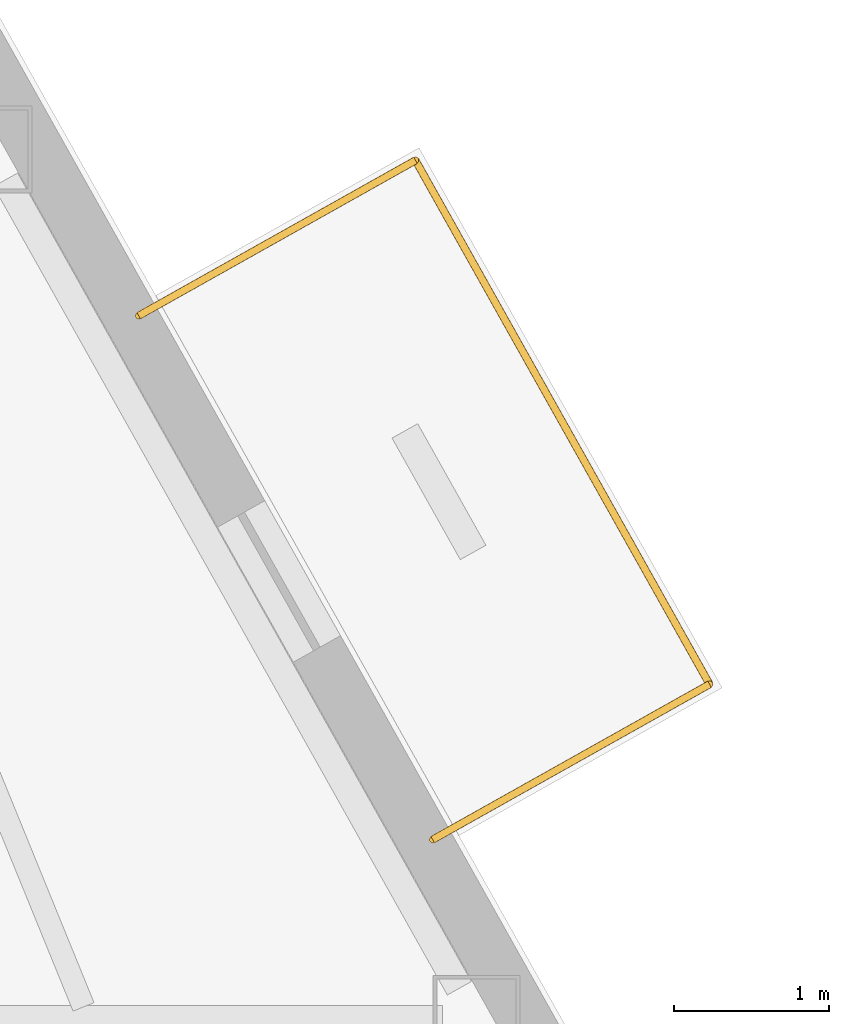
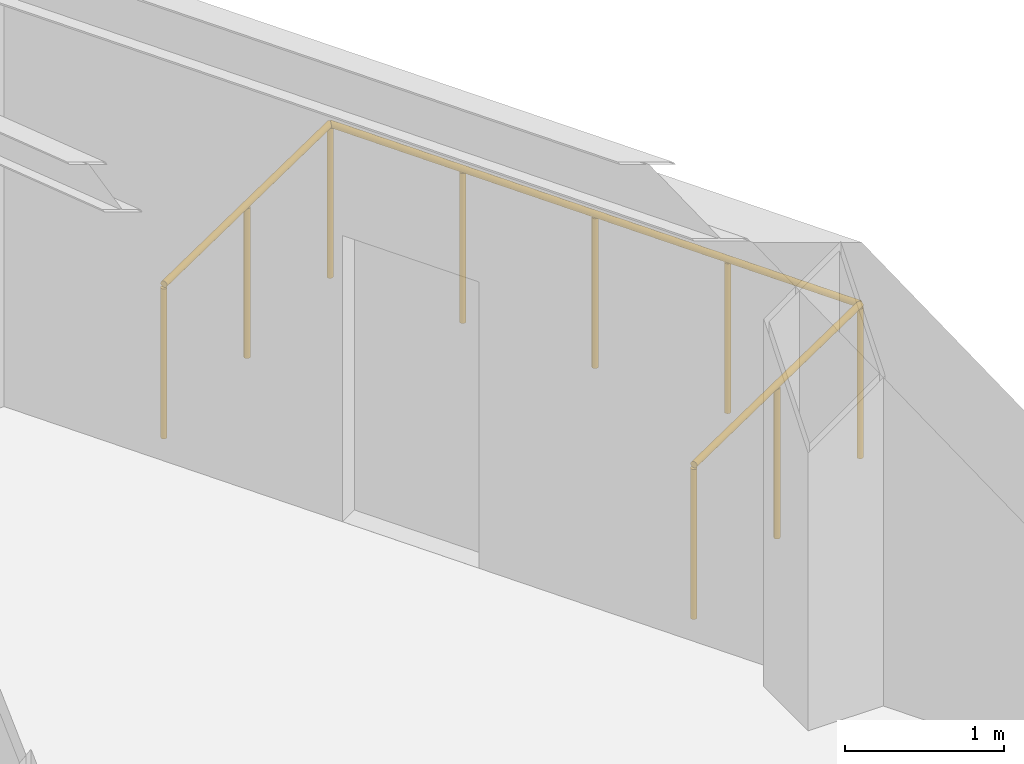
# One storey, part 9 of 9: 3 railings.
"""IFC4 building model written with IfcOpenShell, lengths in metres."""

from ifc_helpers import new_model, si_unit, direction, frame, origin, origin_2d, place, context, subcontext, project, spatial, circle, extrude, material, type_object, element, save


model = new_model("IFC4")

# Units and contexts
model_context = context("Model", 3, precision=1e-05, world=origin(), true_north=direction((0.0, 1.0)))
body_context = subcontext(model_context, "Body", "Model", "MODEL_VIEW")
ifc_project = project(units=[si_unit("LENGTHUNIT", "METRE"), si_unit("AREAUNIT", "SQUARE_METRE"), si_unit("VOLUMEUNIT", "CUBIC_METRE"), si_unit("PLANEANGLEUNIT", "RADIAN"), si_unit("MASSUNIT", "GRAM", prefix="KILO")], contexts=[model_context])

# Site, building, storey
site_placement = place(None, origin())
site = spatial("IfcSite", under=ifc_project, at=site_placement, CompositionType="ELEMENT")
building_placement = place(site_placement, origin())
building = spatial("IfcBuilding", under=site, at=building_placement, Name="Kavelnor Concourse Tower", CompositionType="ELEMENT")
storey_placement = place(building_placement, frame((0.0, 0.0, 301.10009765625)))
storey = spatial("IfcBuildingStorey", under=building, at=storey_placement, Name="L76", CompositionType="ELEMENT", Elevation=301.10009765625)

# Railings
ifc_material = material(Name="Architectural bronze-anodised aluminium", Category="aluminium")
railing_type = type_object("IfcRailingType", Name="RLG-TERRACE-1200", PredefinedType="BALUSTRADE", material=ifc_material)
railing_1_placement = place(storey_placement, frame((55.9638671875, 17.4384765625, 0.0)))
element("IfcRailing", 1, at=railing_1_placement, inside=storey, type_object=railing_type, Name="L76 Tree Balcony 2 Guardrail L", PredefinedType="BALUSTRADE", context=body_context, shape_type="SweptSolid", body=[
    extrude(circle(Radius=0.02392578125, at=origin_2d()), frame((0.0, 0.0, 1.17578125), z_axis=(0.872042637653, 0.489429911341, 0.0), x_axis=(-0.489429911341, 0.872042637653, 0.0)), (0.0, 0.0, 1.0), 2.05029296875),
    extrude(circle(Radius=0.02099609375, at=origin_2d()), origin(), (0.0, 0.0, 1.0), 1.15185546875),
    extrude(circle(Radius=0.02099609375, at=origin_2d()), frame((0.89404296875, 0.501708984375, 0.0)), (0.0, 0.0, 1.0), 1.15185546875),
    extrude(circle(Radius=0.02099609375, at=origin_2d()), frame((1.787841796875, 1.00341796875, 0.0)), (0.0, 0.0, 1.0), 1.15185546875),
])
railing_2_placement = place(storey_placement, frame((57.751708984375, 18.44189453125, 0.0)))
element("IfcRailing", 2, at=railing_2_placement, inside=storey, type_object=railing_type, Name="L76 Tree Balcony 2 Guardrail F", PredefinedType="BALUSTRADE", context=body_context, shape_type="SweptSolid", body=[
    extrude(circle(Radius=0.02392578125, at=origin_2d()), frame((0.0, 0.0, 1.17578125), z_axis=(-0.489463411086, 0.872023835229, 0.0), x_axis=(-0.872023835229, -0.489463411086, 0.0)), (0.0, 0.0, 1.0), 3.880126953125),
    extrude(circle(Radius=0.02099609375, at=origin_2d()), origin(), (0.0, 0.0, 1.0), 1.15185546875),
    extrude(circle(Radius=0.02099609375, at=origin_2d()), frame((-0.474853515625, 0.845947265625, 0.0)), (0.0, 0.0, 1.0), 1.15185546875),
    extrude(circle(Radius=0.02099609375, at=origin_2d()), frame((-0.94970703125, 1.69189453125, 0.0)), (0.0, 0.0, 1.0), 1.15185546875),
    extrude(circle(Radius=0.02099609375, at=origin_2d()), frame((-1.42431640625, 2.53759765625, 0.0)), (0.0, 0.0, 1.0), 1.15185546875),
    extrude(circle(Radius=0.02099609375, at=origin_2d()), frame((-1.899169921875, 3.383544921875, 0.0)), (0.0, 0.0, 1.0), 1.15185546875),
])
railing_3_placement = place(storey_placement, frame((55.8525390625, 21.825439453125, 0.0)))
element("IfcRailing", 3, at=railing_3_placement, inside=storey, type_object=railing_type, Name="L76 Tree Balcony 2 Guardrail R", PredefinedType="BALUSTRADE", context=body_context, shape_type="SweptSolid", body=[
    extrude(circle(Radius=0.02392578125, at=origin_2d()), frame((0.0, 0.0, 1.17578125), z_axis=(-0.872014107943, -0.489480740733, 0.0), x_axis=(0.489480740733, -0.872014107943, 0.0)), (0.0, 0.0, 1.0), 2.050048828125),
    extrude(circle(Radius=0.02099609375, at=origin_2d()), origin(), (0.0, 0.0, 1.0), 1.15185546875),
    extrude(circle(Radius=0.02099609375, at=origin_2d()), frame((-0.893798828125, -0.501708984375, 0.0)), (0.0, 0.0, 1.0), 1.15185546875),
    extrude(circle(Radius=0.02099609375, at=origin_2d()), frame((-1.78759765625, -1.00341796875, 0.0)), (0.0, 0.0, 1.0), 1.15185546875),
])

save(model, "model.ifc")
